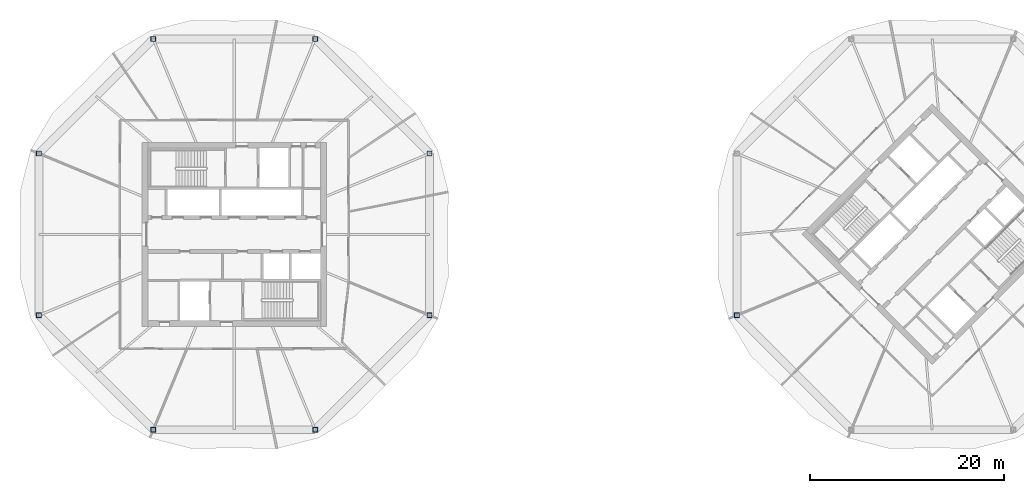
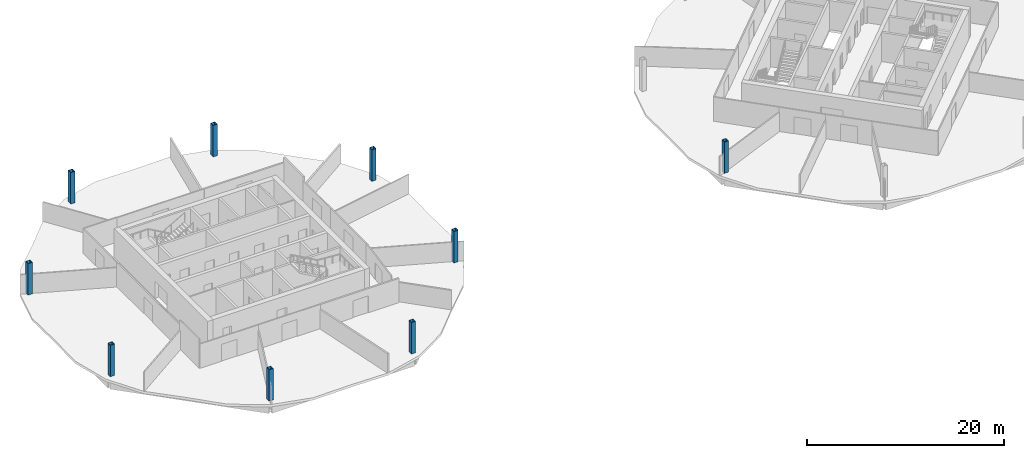
# One storey, part 1 of 10: 9 columns.
"""IFC4 building model written with IfcOpenShell, lengths in metres."""

from ifc_helpers import new_model, si_unit, direction, frame, origin, origin_2d, place, context, subcontext, project, spatial, hollow_rectangle, extrude, material, material_profile, profile_set, type_object, element, save


model = new_model("IFC4")

# Units and contexts
model_context = context("Model", 3, precision=1e-05, world=origin(), true_north=direction((0.0, 1.0)))
body_context = subcontext(model_context, "Body", "Model", "MODEL_VIEW")
ifc_project = project(units=[si_unit("LENGTHUNIT", "METRE"), si_unit("AREAUNIT", "SQUARE_METRE"), si_unit("VOLUMEUNIT", "CUBIC_METRE"), si_unit("PLANEANGLEUNIT", "RADIAN"), si_unit("MASSUNIT", "GRAM", prefix="KILO")], contexts=[model_context])

# Site, building, storey
site_placement = place(None, origin())
site = spatial("IfcSite", under=ifc_project, at=site_placement, CompositionType="ELEMENT")
building_placement = place(site_placement, origin())
building = spatial("IfcBuilding", under=site, at=building_placement, Name="Ogive Gate Towers", CompositionType="ELEMENT")
storey_placement = place(building_placement, frame((0.0, 0.0, 169.5)))
storey = spatial("IfcBuildingStorey", under=building, at=storey_placement, Name="L40", CompositionType="ELEMENT", Elevation=169.5)

# Columns
ifc_material = material(Name="Steel SM460", Category="steel")
ifc_material_profile = material_profile(ifc_material, hollow_rectangle(XDim=0.5, YDim=0.5, WallThickness=0.030029296875, at=origin_2d()), Name="BX 500x500x30")
ifc_profile_set = profile_set([ifc_material_profile], Name="Steel SM460")
column_type = type_object("IfcColumnType", Name="Perimeter post BX 500x500x30", PredefinedType="COLUMN", material=ifc_profile_set)
for number, where, z_axis, x_axis, name in (
    (1, (-15.85009765625, 8.346435546875, 0.0), (0.0, 0.0, 1.0), (1.0, 0.0, 0.0), "T1/L40/SCL001"),
    (2, (-27.653564453125, 20.14990234375, 0.0), (0.0, 0.0, 1.0), (1.0, 0.0, 0.0), "T1/L40/SCL002"),
    (3, (-44.346435546875, 20.14990234375, 0.0), (0.0, 0.0, 1.0), (1.0, 0.0, 0.0), "T1/L40/SCL003"),
    (4, (-56.14990234375, 8.346435546875, 0.0), (0.0, 0.0, 1.0), (1.0, 0.0, 0.0), "T1/L40/SCL004"),
    (5, (-56.14990234375, -8.346435546875, 0.0), (0.0, 0.0, 1.0), (1.0, 0.0, 0.0), "T1/L40/SCL005"),
    (6, (-44.346435546875, -20.14990234375, 0.0), (0.0, 0.0, 1.0), (1.0, 0.0, 0.0), "T1/L40/SCL006"),
    (7, (-27.653564453125, -20.14990234375, 0.0), (0.0, 0.0, 1.0), (1.0, 0.0, 0.0), "T1/L40/SCL007"),
    (8, (-15.85009765625, -8.346435546875, 0.0), (0.0, 0.0, 1.0), (1.0, 0.0, 0.0), "T1/L40/SCL008"),
    (9, (15.85009765625, -8.346435546875, 0.0), (0.0, 0.0, 1.0), (1.0, 0.0, 0.0), "T2/L40/SCL005"),
):
    element("IfcColumn", number, at=place(storey_placement, frame(where, z_axis=z_axis, x_axis=x_axis)), inside=storey, type_object=column_type, Name=name, PredefinedType="COLUMN", context=body_context, shape_type="SweptSolid", body=[
        extrude(hollow_rectangle(XDim=0.5, YDim=0.5, WallThickness=0.030029296875, at=origin_2d()), origin(), (0.0, 0.0, 1.0), 3.89990234375),
    ])

save(model, "model.ifc")
